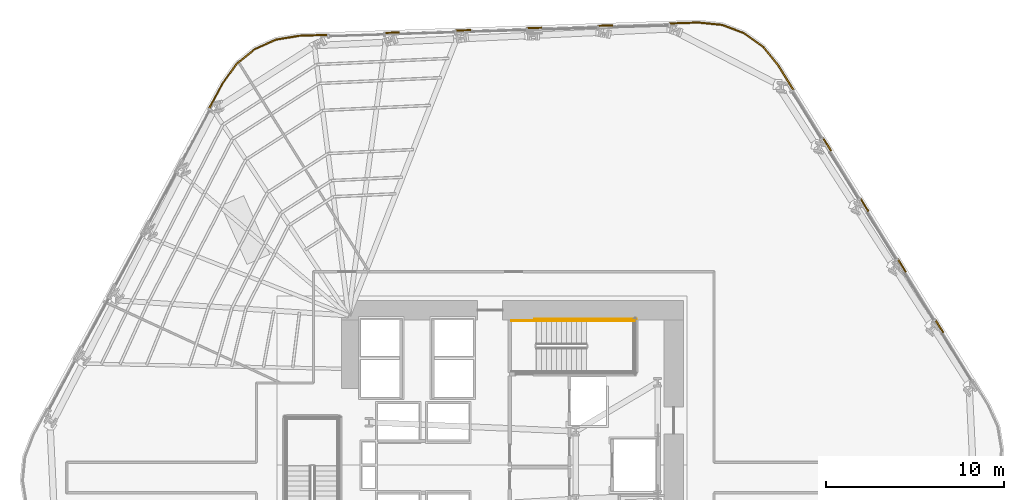
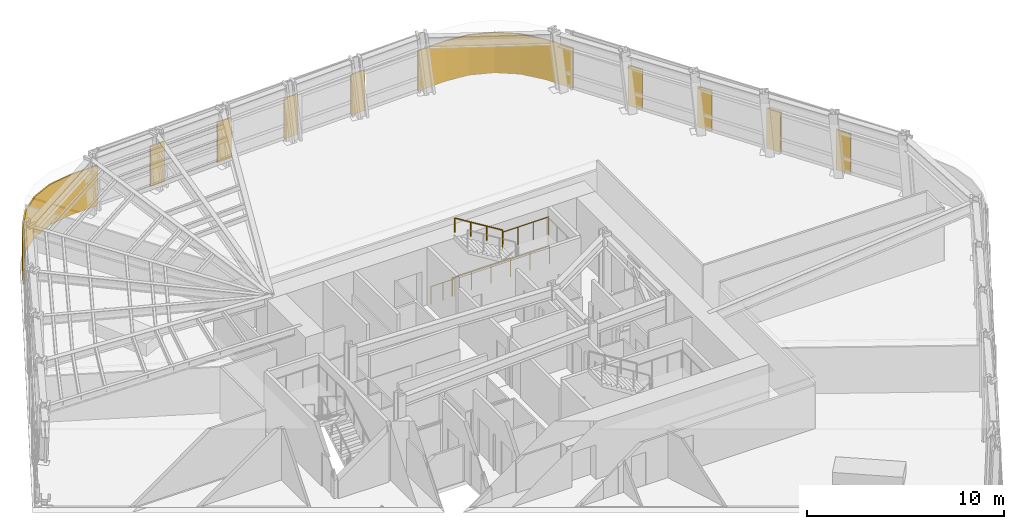
# One storey, part 14 of 15: 10 coverings, 4 railings.
"""IFC4 building model written with IfcOpenShell, lengths in metres."""

from ifc_helpers import new_model, si_unit, direction, frame, origin, origin_2d, place, context, subcontext, project, spatial, polyline, circle, outline, extrude, material, layer, layer_set, type_object, element, save


model = new_model("IFC4")

# Units and contexts
model_context = context("Model", 3, precision=1e-05, world=origin(), true_north=direction((0.0, 1.0)))
body_context = subcontext(model_context, "Body", "Model", "MODEL_VIEW")
ifc_project = project(units=[si_unit("LENGTHUNIT", "METRE"), si_unit("AREAUNIT", "SQUARE_METRE"), si_unit("VOLUMEUNIT", "CUBIC_METRE"), si_unit("PLANEANGLEUNIT", "RADIAN"), si_unit("MASSUNIT", "GRAM", prefix="KILO")], contexts=[model_context])

# Site, building, storey
site_placement = place(None, origin())
site = spatial("IfcSite", under=ifc_project, at=site_placement, CompositionType="ELEMENT")
building_placement = place(site_placement, origin())
building = spatial("IfcBuilding", under=site, at=building_placement, Name="Valkerne Bourse Tower", CompositionType="ELEMENT")
storey_placement = place(building_placement, frame((0.0, 0.0, 31.60009765625)))
storey = spatial("IfcBuildingStorey", under=building, at=storey_placement, Name="L07", CompositionType="ELEMENT", Elevation=31.60009765625)

# Coverings
ifc_material_1 = material(Name="Bronze Anodised Aluminium AA 6063-T6", Category="aluminium")
ifc_layer = layer(ifc_material_1, 0.06005859375)
ifc_layer_set = layer_set([ifc_layer], Name="Bronze Anodised Aluminium AA 6063-T6")
covering_type = type_object("IfcCoveringType", Name="COV-CRN-ALUM", PredefinedType="CLADDING", material=ifc_layer_set)
covering_1_placement = place(storey_placement, origin())
element("IfcCovering", 1, at=covering_1_placement, inside=storey, type_object=covering_type, Name="L07 Wind-Shaped Corner Aluminium Cladding 16", PredefinedType="CLADDING", context=body_context, shape_type="SweptSolid", body=[
    extrude(outline(polyline([(30.500732421875, 48.43798828125), (31.281494140625, 49.5244140625), (32.3115234375, 50.36767578125), (33.52490234375, 50.915283203125), (34.844970703125, 51.131591796875), (36.465087890625, 51.185302734375), (36.4677734375, 51.10546875), (34.852783203125, 51.0517578125), (33.548095703125, 50.838134765625), (32.35400390625, 50.299072265625), (31.340087890625, 49.46923828125), (30.56884765625, 48.3955078125), (29.802490234375, 46.972900390625), (29.732177734375, 47.0107421875), (30.500732421875, 48.43798828125)])), origin(), (0.0, 0.0, 1.0), 2.5),
])
covering_2_placement = place(storey_placement, origin())
element("IfcCovering", 2, at=covering_2_placement, inside=storey, type_object=covering_type, Name="L07 Wind-Shaped Corner Aluminium Cladding 17", PredefinedType="CLADDING", context=body_context, shape_type="SweptSolid", body=[
    extrude(outline(polyline([(40.458984375, 51.318115234375), (40.46142578125, 51.23828125), (39.6220703125, 51.210205078125), (39.619384765625, 51.290283203125), (40.458984375, 51.318115234375)])), origin(), (0.0, 0.0, 1.0), 2.5),
])
covering_3_placement = place(storey_placement, origin())
element("IfcCovering", 3, at=covering_3_placement, inside=storey, type_object=covering_type, Name="L07 Wind-Shaped Corner Aluminium Cladding 18", PredefinedType="CLADDING", context=body_context, shape_type="SweptSolid", body=[
    extrude(outline(polyline([(44.452880859375, 51.45068359375), (44.455322265625, 51.370849609375), (43.61572265625, 51.343017578125), (43.61328125, 51.423095703125), (44.452880859375, 51.45068359375)])), origin(), (0.0, 0.0, 1.0), 2.5),
])
covering_4_placement = place(storey_placement, origin())
element("IfcCovering", 4, at=covering_4_placement, inside=storey, type_object=covering_type, Name="L07 Wind-Shaped Corner Aluminium Cladding 19", PredefinedType="CLADDING", context=body_context, shape_type="SweptSolid", body=[
    extrude(outline(polyline([(48.446533203125, 51.58349609375), (48.44921875, 51.503662109375), (47.609619140625, 51.4755859375), (47.60693359375, 51.5556640625), (48.446533203125, 51.58349609375)])), origin(), (0.0, 0.0, 1.0), 2.5),
])
covering_5_placement = place(storey_placement, origin())
element("IfcCovering", 5, at=covering_5_placement, inside=storey, type_object=covering_type, Name="L07 Wind-Shaped Corner Aluminium Cladding 20", PredefinedType="CLADDING", context=body_context, shape_type="SweptSolid", body=[
    extrude(outline(polyline([(52.4404296875, 51.71630859375), (52.443115234375, 51.63623046875), (51.603515625, 51.6083984375), (51.600830078125, 51.6884765625), (52.4404296875, 51.71630859375)])), origin(), (0.0, 0.0, 1.0), 2.5),
])
covering_6_placement = place(storey_placement, origin())
element("IfcCovering", 6, at=covering_6_placement, inside=storey, type_object=covering_type, Name="L07 Wind-Shaped Corner Aluminium Cladding 21", PredefinedType="CLADDING", context=body_context, shape_type="SweptSolid", body=[
    extrude(outline(polyline([(57.238525390625, 51.875732421875), (58.569580078125, 51.742919921875), (59.814697265625, 51.272216796875), (60.895751953125, 50.49560546875), (61.742919921875, 49.46044921875), (62.607177734375, 48.06103515625), (62.5390625, 48.018798828125), (61.677490234375, 49.413818359375), (60.840576171875, 50.436767578125), (59.776611328125, 51.201171875), (58.551025390625, 51.664306640625), (57.23583984375, 51.795654296875), (55.59716796875, 51.7412109375), (55.5947265625, 51.821044921875), (57.238525390625, 51.875732421875)])), origin(), (0.0, 0.0, 1.0), 2.5),
])
covering_7_placement = place(storey_placement, origin())
element("IfcCovering", 7, at=covering_7_placement, inside=storey, type_object=covering_type, Name="L07 Wind-Shaped Corner Aluminium Cladding 22", PredefinedType="CLADDING", context=body_context, shape_type="SweptSolid", body=[
    extrude(outline(polyline([(64.70654296875, 44.6611328125), (64.638671875, 44.618896484375), (64.197265625, 45.333740234375), (64.265380859375, 45.375732421875), (64.70654296875, 44.6611328125)])), origin(), (0.0, 0.0, 1.0), 2.5),
])
covering_8_placement = place(storey_placement, origin())
element("IfcCovering", 8, at=covering_8_placement, inside=storey, type_object=covering_type, Name="L07 Wind-Shaped Corner Aluminium Cladding 23", PredefinedType="CLADDING", context=body_context, shape_type="SweptSolid", body=[
    extrude(outline(polyline([(66.80615234375, 41.260986328125), (66.73828125, 41.218994140625), (66.296875, 41.93359375), (66.364990234375, 41.975830078125), (66.80615234375, 41.260986328125)])), origin(), (0.0, 0.0, 1.0), 2.5),
])
covering_9_placement = place(storey_placement, origin())
element("IfcCovering", 9, at=covering_9_placement, inside=storey, type_object=covering_type, Name="L07 Wind-Shaped Corner Aluminium Cladding 24", PredefinedType="CLADDING", context=body_context, shape_type="SweptSolid", body=[
    extrude(outline(polyline([(68.906005859375, 37.861083984375), (68.837890625, 37.81884765625), (68.396484375, 38.53369140625), (68.464599609375, 38.57568359375), (68.906005859375, 37.861083984375)])), origin(), (0.0, 0.0, 1.0), 2.5),
])
covering_10_placement = place(storey_placement, origin())
element("IfcCovering", 10, at=covering_10_placement, inside=storey, type_object=covering_type, Name="L07 Wind-Shaped Corner Aluminium Cladding 25", PredefinedType="CLADDING", context=body_context, shape_type="SweptSolid", body=[
    extrude(outline(polyline([(71.00537109375, 34.461181640625), (70.9375, 34.4189453125), (70.49609375, 35.1337890625), (70.56396484375, 35.17578125), (71.00537109375, 34.461181640625)])), origin(), (0.0, 0.0, 1.0), 2.5),
])

# Railings
ifc_material_2 = material(Name="Galvanised Painted Steel", Category="steel")
railing_type_1 = type_object("IfcRailingType", Name="RLG-ST-GUARD-1120", PredefinedType="GUARDRAIL", material=ifc_material_2)
railing_1_placement = place(storey_placement, frame((50.949951171875, 35.10009765625, 1.89990234375)))
element("IfcRailing", 11, at=railing_1_placement, inside=storey, type_object=railing_type_1, Name="L07 ST-2 stair guard 4", PredefinedType="GUARDRAIL", context=body_context, shape_type="SweptSolid", body=[
    extrude(circle(Radius=0.02392578125, at=origin_2d()), frame((0.0, 0.0, 1.09619140625), z_axis=(1.0, 0.0, 0.0), x_axis=(0.0, 1.0, 0.0)), (0.0, 0.0, 1.0), 2.699951171875),
    extrude(circle(Radius=0.02099609375, at=origin_2d()), origin(), (0.0, 0.0, 1.0), 1.072021484375),
    extrude(circle(Radius=0.02099609375, at=origin_2d()), frame((0.89990234375, 0.0, 0.0)), (0.0, 0.0, 1.0), 1.072021484375),
    extrude(circle(Radius=0.02099609375, at=origin_2d()), frame((1.800048828125, 0.0, 0.0)), (0.0, 0.0, 1.0), 1.072021484375),
    extrude(circle(Radius=0.02099609375, at=origin_2d()), frame((2.699951171875, 0.0, 0.0)), (0.0, 0.0, 1.0), 1.072021484375),
])
railing_2_placement = place(storey_placement, frame((46.75, 35.10009765625, 0.0)))
element("IfcRailing", 12, at=railing_2_placement, inside=storey, type_object=railing_type_1, Name="L07 ST-2 stair guard 9", PredefinedType="GUARDRAIL", context=body_context, shape_type="SweptSolid", body=[
    extrude(circle(Radius=0.02392578125, at=origin_2d()), frame((0.0, 0.0, 1.09619140625), z_axis=(1.0, 0.0, 0.0), x_axis=(0.0, 1.0, 0.0)), (0.0, 0.0, 1.0), 1.39990234375),
    extrude(circle(Radius=0.02099609375, at=origin_2d()), origin(), (0.0, 0.0, 1.0), 1.072021484375),
    extrude(circle(Radius=0.02099609375, at=origin_2d()), frame((0.699951171875, 0.0, 0.0)), (0.0, 0.0, 1.0), 1.072021484375),
    extrude(circle(Radius=0.02099609375, at=origin_2d()), frame((1.39990234375, 0.0, 0.0)), (0.0, 0.0, 1.0), 1.072021484375),
])
railing_3_placement = place(storey_placement, frame((48.050048828125, 35.199951171875, 0.0)))
element("IfcRailing", 13, at=railing_3_placement, inside=storey, type_object=railing_type_1, Name="L07 ST-2 stair guard 11", PredefinedType="GUARDRAIL", context=body_context, shape_type="SweptSolid", body=[
    extrude(circle(Radius=0.02392578125, at=origin_2d()), frame((0.0, 0.0, 1.09619140625), z_axis=(1.0, 0.0, 0.0), x_axis=(0.0, 1.0, 0.0)), (0.0, 0.0, 1.0), 5.699951171875),
    extrude(circle(Radius=0.02099609375, at=origin_2d()), origin(), (0.0, 0.0, 1.0), 1.072021484375),
    extrude(circle(Radius=0.02099609375, at=origin_2d()), frame((1.139892578125, 0.0, 0.0)), (0.0, 0.0, 1.0), 1.072021484375),
    extrude(circle(Radius=0.02099609375, at=origin_2d()), frame((2.280029296875, 0.0, 0.0)), (0.0, 0.0, 1.0), 1.072021484375),
    extrude(circle(Radius=0.02099609375, at=origin_2d()), frame((3.419921875, 0.0, 0.0)), (0.0, 0.0, 1.0), 1.072021484375),
    extrude(circle(Radius=0.02099609375, at=origin_2d()), frame((4.56005859375, 0.0, 0.0)), (0.0, 0.0, 1.0), 1.072021484375),
    extrude(circle(Radius=0.02099609375, at=origin_2d()), frame((5.699951171875, 0.0, 0.0)), (0.0, 0.0, 1.0), 1.072021484375),
])
ifc_material_3 = material(Name="Stainless Steel AISI 316", Category="steel")
railing_type_2 = type_object("IfcRailingType", Name="RLG-ST-HANDRAIL-900", PredefinedType="HANDRAIL", material=ifc_material_3)
railing_4_placement = place(storey_placement, frame((50.949951171875, 35.10009765625, 2.245361328125)))
element("IfcRailing", 14, at=railing_4_placement, inside=storey, type_object=railing_type_2, Name="L07 ST-2 stair handrail 2", PredefinedType="HANDRAIL", context=body_context, shape_type="SweptSolid", body=[
    extrude(circle(Radius=0.02392578125, at=origin_2d()), frame((0.0, 0.0, 0.8759765625), z_axis=(-0.851089632645, 0.0, 0.525020415988), x_axis=(0.0, -1.0, 0.0)), (0.0, 0.0, 1.0), 3.2900390625),
    extrude(circle(Radius=0.02099609375, at=origin_2d()), origin(), (0.0, 0.0, 1.0), 0.851806640625),
    extrude(circle(Radius=0.02099609375, at=origin_2d()), frame((-0.933349609375, 0.0, 0.57568359375)), (0.0, 0.0, 1.0), 0.851806640625),
    extrude(circle(Radius=0.02099609375, at=origin_2d()), frame((-1.86669921875, 0.0, 1.151611328125)), (0.0, 0.0, 1.0), 0.851806640625),
    extrude(circle(Radius=0.02099609375, at=origin_2d()), frame((-2.800048828125, 0.0, 1.727294921875)), (0.0, 0.0, 1.0), 0.851806640625),
])

save(model, "model.ifc")
